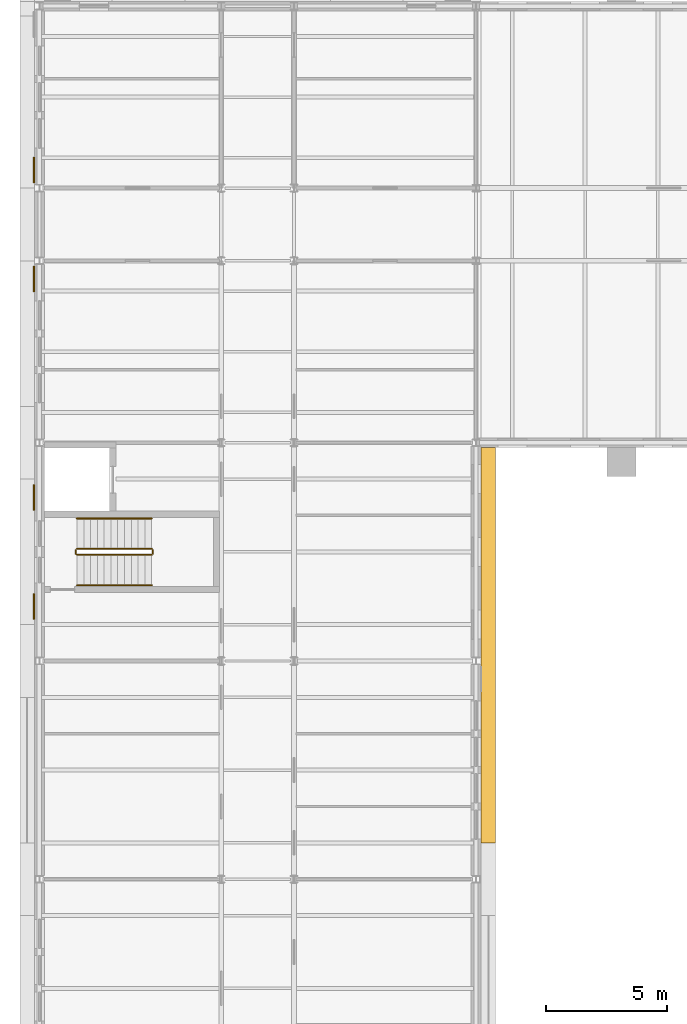
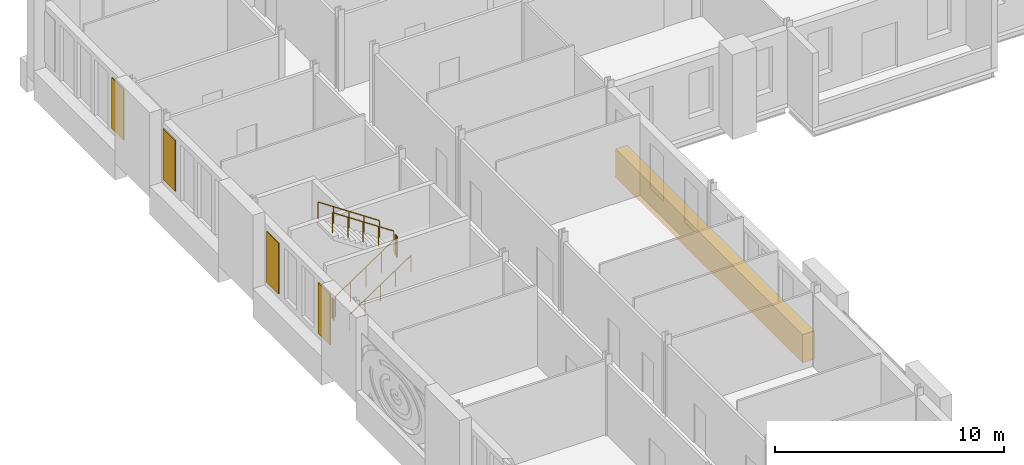
# One storey, part 117 of 131: 6 railings, 5 coverings.
"""IFC4 building model written with IfcOpenShell, lengths in metres."""

from ifc_helpers import new_model, si_unit, direction, frame, origin, origin_2d, place, context, subcontext, project, spatial, polyline, circle, outline, extrude, material, layer, layer_set, type_object, element, save


model = new_model("IFC4")

# Units and contexts
model_context = context("Model", 3, precision=1e-05, world=origin(), true_north=direction((0.0, 1.0)))
body_context = subcontext(model_context, "Body", "Model", "MODEL_VIEW")
ifc_project = project(units=[si_unit("LENGTHUNIT", "METRE"), si_unit("AREAUNIT", "SQUARE_METRE"), si_unit("VOLUMEUNIT", "CUBIC_METRE"), si_unit("PLANEANGLEUNIT", "RADIAN"), si_unit("MASSUNIT", "GRAM", prefix="KILO")], contexts=[model_context])

# Site, building, storey
site_placement = place(None, origin())
site = spatial("IfcSite", under=ifc_project, at=site_placement, CompositionType="ELEMENT")
building_placement = place(site_placement, origin())
building = spatial("IfcBuilding", under=site, at=building_placement, Name="Golden Quay Civic Hall", CompositionType="ELEMENT")
storey_placement = place(building_placement, frame((0.0, 0.0, 9.89990234375)))
storey = spatial("IfcBuildingStorey", under=building, at=storey_placement, Name="L02", CompositionType="ELEMENT", Elevation=9.89990234375)

# Railings
ifc_material_1 = material(Name="Steel S355", Category="steel")
railing_type_1 = type_object("IfcRailingType", Name="Steel guard 1100", PredefinedType="GUARDRAIL", material=ifc_material_1)
railing_1_placement = place(storey_placement, frame((1.550048828125, 58.375, 0.1875)))
element("IfcRailing", 1, at=railing_1_placement, inside=storey, type_object=railing_type_1, Name="L02 WO-N stair guard 1", PredefinedType="GUARDRAIL", context=body_context, shape_type="SweptSolid", body=[
    extrude(circle(Radius=0.02392578125, at=origin_2d()), frame((0.0, 0.0, 1.076171875), z_axis=(0.830893310487, 0.0, 0.556431762742), x_axis=(0.0, 1.0, 0.0)), (0.0, 0.0, 1.0), 3.70654296875),
    extrude(circle(Radius=0.02099609375, at=origin_2d()), origin(), (0.0, 0.0, 1.0), 1.052001953125),
    extrude(circle(Radius=0.02099609375, at=origin_2d()), frame((0.77001953125, 0.0, 0.515625)), (0.0, 0.0, 1.0), 1.052001953125),
    extrude(circle(Radius=0.02099609375, at=origin_2d()), frame((1.5400390625, 0.0, 1.03125)), (0.0, 0.0, 1.0), 1.052001953125),
    extrude(circle(Radius=0.02099609375, at=origin_2d()), frame((2.309814453125, 0.0, 1.546875)), (0.0, 0.0, 1.0), 1.052001953125),
    extrude(circle(Radius=0.02099609375, at=origin_2d()), frame((3.079833984375, 0.0, 2.0625)), (0.0, 0.0, 1.0), 1.052001953125),
])
railing_2_placement = place(storey_placement, frame((4.679931640625, 58.425048828125, 2.25)))
element("IfcRailing", 2, at=railing_2_placement, inside=storey, type_object=railing_type_1, Name="L02 WO-N stair guard 2", PredefinedType="GUARDRAIL", context=body_context, shape_type="SweptSolid", body=[
    extrude(circle(Radius=0.02392578125, at=origin_2d()), frame((0.0, 0.0, 1.076171875), z_axis=(0.0, 1.0, 0.0), x_axis=(-1.0, 0.0, 0.0)), (0.0, 0.0, 1.0), 0.14990234375),
    extrude(circle(Radius=0.02099609375, at=origin_2d()), origin(), (0.0, 0.0, 1.0), 1.052001953125),
    extrude(circle(Radius=0.02099609375, at=origin_2d()), frame((0.0, 0.14990234375, 0.0)), (0.0, 0.0, 1.0), 1.052001953125),
])
railing_3_placement = place(storey_placement, frame((4.6298828125, 58.625, 2.4375)))
element("IfcRailing", 3, at=railing_3_placement, inside=storey, type_object=railing_type_1, Name="L02 WO-N stair guard 3", PredefinedType="GUARDRAIL", context=body_context, shape_type="SweptSolid", body=[
    extrude(circle(Radius=0.02392578125, at=origin_2d()), frame((0.0, 0.0, 1.076171875), z_axis=(-0.830893310487, 0.0, 0.556431762742), x_axis=(0.0, -1.0, 0.0)), (0.0, 0.0, 1.0), 3.70654296875),
    extrude(circle(Radius=0.02099609375, at=origin_2d()), origin(), (0.0, 0.0, 1.0), 1.052001953125),
    extrude(circle(Radius=0.02099609375, at=origin_2d()), frame((-0.77001953125, 0.0, 0.515625)), (0.0, 0.0, 1.0), 1.052001953125),
    extrude(circle(Radius=0.02099609375, at=origin_2d()), frame((-1.5400390625, 0.0, 1.03125)), (0.0, 0.0, 1.0), 1.052001953125),
    extrude(circle(Radius=0.02099609375, at=origin_2d()), frame((-2.309814453125, 0.0, 1.546875)), (0.0, 0.0, 1.0), 1.052001953125),
    extrude(circle(Radius=0.02099609375, at=origin_2d()), frame((-3.079833984375, 0.0, 2.0625)), (0.0, 0.0, 1.0), 1.052001953125),
])
railing_4_placement = place(storey_placement, frame((1.5, 58.425048828125, 0.0)))
element("IfcRailing", 4, at=railing_4_placement, inside=storey, type_object=railing_type_1, Name="L02 WO-N stair guard 4", PredefinedType="GUARDRAIL", context=body_context, shape_type="SweptSolid", body=[
    extrude(circle(Radius=0.02392578125, at=origin_2d()), frame((0.0, 0.0, 1.076171875), z_axis=(0.0, 1.0, 0.0), x_axis=(-1.0, 0.0, 0.0)), (0.0, 0.0, 1.0), 0.14990234375),
    extrude(circle(Radius=0.02099609375, at=origin_2d()), origin(), (0.0, 0.0, 1.0), 1.052001953125),
    extrude(circle(Radius=0.02099609375, at=origin_2d()), frame((0.0, 0.14990234375, 0.0)), (0.0, 0.0, 1.0), 1.052001953125),
])
ifc_material_2 = material(Name="Steel S355", Category="steel")
railing_type_2 = type_object("IfcRailingType", Name="Steel handrail 900", PredefinedType="HANDRAIL", material=ifc_material_2)
railing_5_placement = place(storey_placement, frame((1.550048828125, 57.125, 0.1875)))
element("IfcRailing", 5, at=railing_5_placement, inside=storey, type_object=railing_type_2, Name="L02 WO-N stair handrail 1", PredefinedType="HANDRAIL", context=body_context, shape_type="SweptSolid", body=[
    extrude(circle(Radius=0.02392578125, at=origin_2d()), frame((0.0, 0.0, 0.8759765625), z_axis=(0.830893310487, 0.0, 0.556431762742), x_axis=(0.0, 1.0, 0.0)), (0.0, 0.0, 1.0), 3.70654296875),
    extrude(circle(Radius=0.02099609375, at=origin_2d()), origin(), (0.0, 0.0, 1.0), 0.851806640625),
    extrude(circle(Radius=0.02099609375, at=origin_2d()), frame((0.77001953125, 0.0, 0.515625)), (0.0, 0.0, 1.0), 0.851806640625),
    extrude(circle(Radius=0.02099609375, at=origin_2d()), frame((1.5400390625, 0.0, 1.03125)), (0.0, 0.0, 1.0), 0.851806640625),
    extrude(circle(Radius=0.02099609375, at=origin_2d()), frame((2.309814453125, 0.0, 1.546875)), (0.0, 0.0, 1.0), 0.851806640625),
    extrude(circle(Radius=0.02099609375, at=origin_2d()), frame((3.079833984375, 0.0, 2.0625)), (0.0, 0.0, 1.0), 0.851806640625),
])
railing_6_placement = place(storey_placement, frame((4.6298828125, 59.875, 2.4375)))
element("IfcRailing", 6, at=railing_6_placement, inside=storey, type_object=railing_type_2, Name="L02 WO-N stair handrail 2", PredefinedType="HANDRAIL", context=body_context, shape_type="SweptSolid", body=[
    extrude(circle(Radius=0.02392578125, at=origin_2d()), frame((0.0, 0.0, 0.8759765625), z_axis=(-0.830893310487, 0.0, 0.556431762742), x_axis=(0.0, -1.0, 0.0)), (0.0, 0.0, 1.0), 3.70654296875),
    extrude(circle(Radius=0.02099609375, at=origin_2d()), origin(), (0.0, 0.0, 1.0), 0.851806640625),
    extrude(circle(Radius=0.02099609375, at=origin_2d()), frame((-0.77001953125, 0.0, 0.515625)), (0.0, 0.0, 1.0), 0.851806640625),
    extrude(circle(Radius=0.02099609375, at=origin_2d()), frame((-1.5400390625, 0.0, 1.03125)), (0.0, 0.0, 1.0), 0.851806640625),
    extrude(circle(Radius=0.02099609375, at=origin_2d()), frame((-2.309814453125, 0.0, 1.546875)), (0.0, 0.0, 1.0), 0.851806640625),
    extrude(circle(Radius=0.02099609375, at=origin_2d()), frame((-3.079833984375, 0.0, 2.0625)), (0.0, 0.0, 1.0), 0.851806640625),
])

# Coverings
ifc_material_3 = material(Name="Terracotta cladding, golden glaze", Category="masonry")
ifc_layer = layer(ifc_material_3, 0.050048828125)
ifc_layer_set = layer_set([ifc_layer], Name="Terracotta solid panel 1050 x 2700 x 50")
covering_type_1 = type_object("IfcCoveringType", Name="Terracotta solid panel 1050 x 2700 x 50", PredefinedType="CLADDING", material=ifc_layer_set)
covering_1_placement = place(storey_placement, frame((0.0, 0.0, 0.900146484375)))
element("IfcCovering", 7, at=covering_1_placement, inside=storey, type_object=covering_type_1, Name="Terracotta solid panel 1050 x 2700 x 50 L02 4", PredefinedType="CLADDING", context=body_context, shape_type="SweptSolid", body=[
    extrude(outline(polyline([(-0.199951171875, 55.72509765625), (-0.199951171875, 56.77490234375), (-0.25, 56.77490234375), (-0.25, 55.72509765625), (-0.199951171875, 55.72509765625)])), origin(), (0.0, 0.0, 1.0), 2.699951171875),
])
covering_2_placement = place(storey_placement, frame((0.0, 0.0, 0.900146484375)))
element("IfcCovering", 8, at=covering_2_placement, inside=storey, type_object=covering_type_1, Name="Terracotta solid panel 1050 x 2700 x 50 L02 5", PredefinedType="CLADDING", context=body_context, shape_type="SweptSolid", body=[
    extrude(outline(polyline([(-0.199951171875, 60.22509765625), (-0.199951171875, 61.27490234375), (-0.25, 61.27490234375), (-0.25, 60.22509765625), (-0.199951171875, 60.22509765625)])), origin(), (0.0, 0.0, 1.0), 2.699951171875),
])
covering_3_placement = place(storey_placement, frame((0.0, 0.0, 0.900146484375)))
element("IfcCovering", 9, at=covering_3_placement, inside=storey, type_object=covering_type_1, Name="Terracotta solid panel 1050 x 2700 x 50 L02 6", PredefinedType="CLADDING", context=body_context, shape_type="SweptSolid", body=[
    extrude(outline(polyline([(-0.199951171875, 69.22509765625), (-0.199951171875, 70.27490234375), (-0.25, 70.27490234375), (-0.25, 69.22509765625), (-0.199951171875, 69.22509765625)])), origin(), (0.0, 0.0, 1.0), 2.699951171875),
])
covering_4_placement = place(storey_placement, frame((0.0, 0.0, 0.900146484375)))
element("IfcCovering", 10, at=covering_4_placement, inside=storey, type_object=covering_type_1, Name="Terracotta solid panel 1050 x 2700 x 50 L02 7", PredefinedType="CLADDING", context=body_context, shape_type="SweptSolid", body=[
    extrude(outline(polyline([(-0.199951171875, 73.72509765625), (-0.199951171875, 74.77490234375), (-0.25, 74.77490234375), (-0.25, 73.72509765625), (-0.199951171875, 73.72509765625)])), origin(), (0.0, 0.0, 1.0), 2.699951171875),
])
ifc_material_4 = material(Name="Terracotta cladding, golden glaze", Category="masonry")
covering_type_2 = type_object("IfcCoveringType", Name="Terracotta spandrel fascia 600 x 1500", PredefinedType="CLADDING", material=ifc_material_4)
covering_5_placement = place(storey_placement, frame((0.0, 0.0, -0.89990234375)))
element("IfcCovering", 11, at=covering_5_placement, inside=storey, type_object=covering_type_2, Name="Terracotta spandrel fascia 600 x 1500 L02 4", PredefinedType="CLADDING", context=body_context, shape_type="SweptSolid", body=[
    extrude(outline(polyline([(18.199951171875, 46.5), (18.199951171875, 62.800048828125), (18.800048828125, 62.800048828125), (18.800048828125, 46.5), (18.199951171875, 46.5)])), origin(), (0.0, 0.0, 1.0), 1.5),
])

save(model, "model.ifc")
